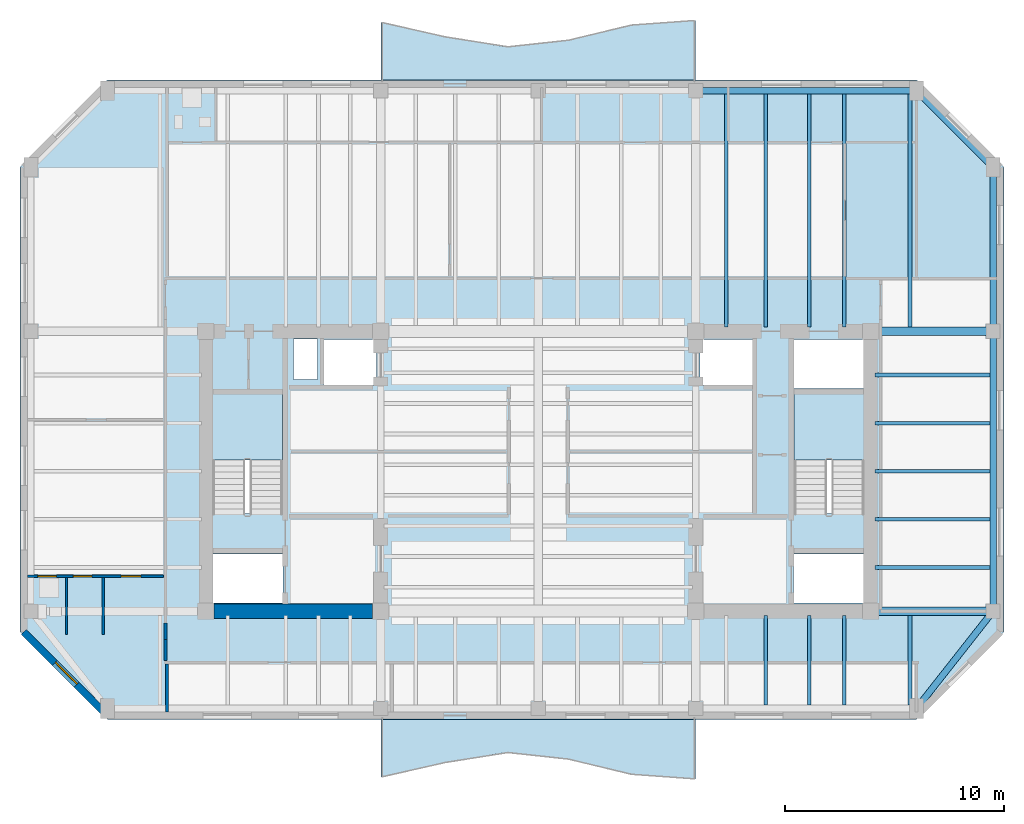
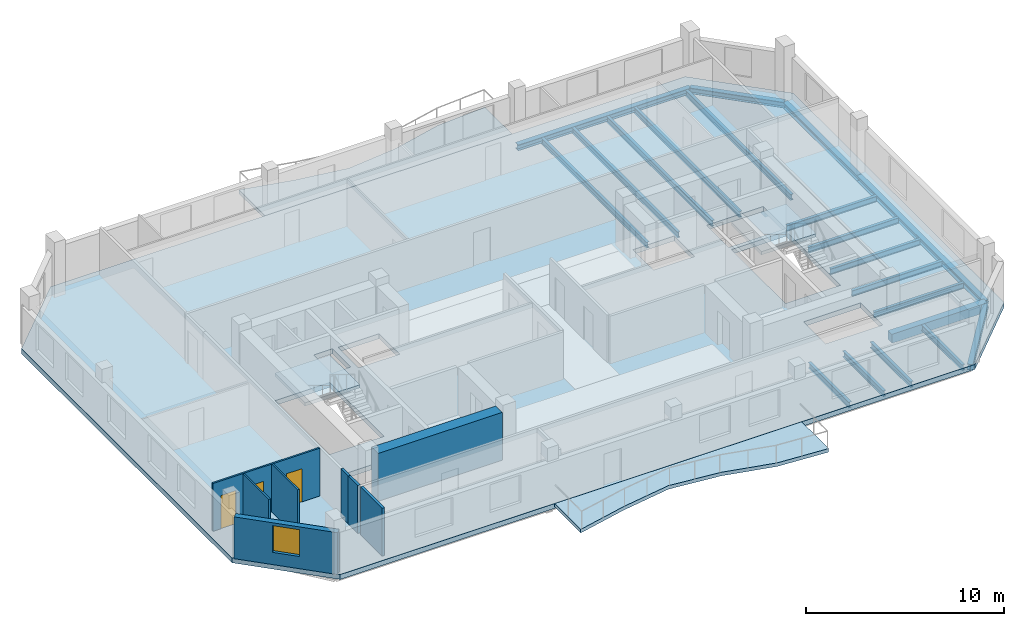
# One storey, part 2 of 10: 21 beams, 8 walls, 5 slabs, 3 doors, 1 window, 4 openings, 2 elements without a shape of their own.
"""IFC4 building model written with IfcOpenShell, lengths in metres."""

from ifc_helpers import new_model, si_unit, direction, frame, frame_2d, origin, origin_2d, place, context, subcontext, project, spatial, polyline, rectangle, i_section, outline, extrude, material, layer, layer_set, material_profile, profile_set, type_object, element, fill, aggregate, save


model = new_model("IFC4")

# Units and contexts
model_context = context("Model", 3, precision=1e-05, world=origin(), true_north=direction((0.0, 1.0)))
body_context = subcontext(model_context, "Body", "Model", "MODEL_VIEW")
ifc_project = project(units=[si_unit("LENGTHUNIT", "METRE"), si_unit("AREAUNIT", "SQUARE_METRE"), si_unit("VOLUMEUNIT", "CUBIC_METRE"), si_unit("PLANEANGLEUNIT", "RADIAN"), si_unit("MASSUNIT", "GRAM", prefix="KILO")], contexts=[model_context])

# Site, building, storey
site_placement = place(None, origin())
site = spatial("IfcSite", under=ifc_project, at=site_placement, CompositionType="ELEMENT")
building_placement = place(site_placement, origin())
building = spatial("IfcBuilding", under=site, at=building_placement, Name="Kranthara Brick Stack", CompositionType="ELEMENT")
storey_placement = place(building_placement, frame((0.0, 0.0, 278.89990234375)))
storey = spatial("IfcBuildingStorey", under=building, at=storey_placement, Name="L74", CompositionType="ELEMENT", Elevation=278.89990234375)

# Beams
ifc_material_1 = material(Name="Post-tensioned concrete C45/55", Category="concrete")
ifc_material_profile_1 = material_profile(ifc_material_1, rectangle(XDim=0.39990234375, YDim=0.550048828125, at=origin_2d()), Name="PT 400x550")
ifc_profile_set_1 = profile_set([ifc_material_profile_1], Name="Post-tensioned concrete C45/55")
beam_type_1 = type_object("IfcBeamType", Name="BM-FLR-PT550", PredefinedType="BEAM", material=ifc_profile_set_1)
for number, where, z_axis, x_axis, name in (
    (1, (43.199951171875, 20.800048828125, -0.574951171875), (1.0, 0.0, 0.0), (0.0, 1.0, 0.0), "L74 Primary Grid Girder 029"),
    (2, (43.199951171875, 33.60009765625, -0.574951171875), (1.0, 0.0, 0.0), (0.0, 1.0, 0.0), "L74 Primary Grid Girder 031"),
):
    element("IfcBeam", number, at=place(storey_placement, frame(where, z_axis=z_axis, x_axis=x_axis)), inside=storey, type_object=beam_type_1, Name=name, PredefinedType="BEAM", context=body_context, shape_type="SweptSolid", body=[
        extrude(rectangle(XDim=0.39990234375, YDim=0.550048828125, at=origin_2d()), origin(), (0.0, 0.0, 1.0), 5.60009765625),
    ])
ifc_material_2 = material(Name="Steel S355", Category="steel")
ifc_material_profile_2 = material_profile(ifc_material_2, i_section(OverallWidth=0.169921875, OverallDepth=0.360107421875, WebThickness=0.008056640625, FlangeThickness=0.0126953125, at=origin_2d()), Name="IPE 360")
ifc_profile_set_2 = profile_set([ifc_material_profile_2], Name="Steel S355")
beam_type_2 = type_object("IfcBeamType", Name="BM-JST-IPE360", PredefinedType="JOIST", material=ifc_profile_set_2)
beam_1_placement = place(storey_placement, frame((36.60009765625, 33.800048828125, -0.47998046875), z_axis=(0.0, 1.0, 0.0), x_axis=(-1.0, 0.0, 0.0)))
element("IfcBeam", 3, at=beam_1_placement, inside=storey, type_object=beam_type_2, Name="L74 North Wing Floor Joist 073", PredefinedType="JOIST", context=body_context, shape_type="SweptSolid", body=[
    extrude(i_section(OverallWidth=0.169921875, OverallDepth=0.360107421875, WebThickness=0.008056640625, FlangeThickness=0.0126953125, at=origin_2d()), origin(), (0.0, 0.0, 1.0), 10.64990234375),
])
beam_2_placement = place(storey_placement, frame((38.39990234375, 16.5, -0.47998046875), z_axis=(0.0, 1.0, 0.0), x_axis=(-1.0, 0.0, 0.0)))
element("IfcBeam", 4, at=beam_2_placement, inside=storey, type_object=beam_type_2, Name="L74 South Wing Floor Joist 074", PredefinedType="JOIST", context=body_context, shape_type="SweptSolid", body=[
    extrude(i_section(OverallWidth=0.169921875, OverallDepth=0.360107421875, WebThickness=0.008056640625, FlangeThickness=0.0126953125, at=origin_2d()), origin(), (0.0, 0.0, 1.0), 4.10009765625),
])
beam_3_placement = place(storey_placement, frame((38.39990234375, 33.800048828125, -0.47998046875), z_axis=(0.0, 1.0, 0.0), x_axis=(-1.0, 0.0, 0.0)))
element("IfcBeam", 5, at=beam_3_placement, inside=storey, type_object=beam_type_2, Name="L74 North Wing Floor Joist 075", PredefinedType="JOIST", context=body_context, shape_type="SweptSolid", body=[
    extrude(i_section(OverallWidth=0.169921875, OverallDepth=0.360107421875, WebThickness=0.008056640625, FlangeThickness=0.0126953125, at=origin_2d()), origin(), (0.0, 0.0, 1.0), 10.64990234375),
])
beam_4_placement = place(storey_placement, frame((40.39990234375, 16.5, -0.47998046875), z_axis=(0.0, 1.0, 0.0), x_axis=(-1.0, 0.0, 0.0)))
element("IfcBeam", 6, at=beam_4_placement, inside=storey, type_object=beam_type_2, Name="L74 South Wing Floor Joist 076", PredefinedType="JOIST", context=body_context, shape_type="SweptSolid", body=[
    extrude(i_section(OverallWidth=0.169921875, OverallDepth=0.360107421875, WebThickness=0.008056640625, FlangeThickness=0.0126953125, at=origin_2d()), origin(), (0.0, 0.0, 1.0), 4.10009765625),
])
beam_5_placement = place(storey_placement, frame((40.39990234375, 33.800048828125, -0.47998046875), z_axis=(0.0, 1.0, 0.0), x_axis=(-1.0, 0.0, 0.0)))
element("IfcBeam", 7, at=beam_5_placement, inside=storey, type_object=beam_type_2, Name="L74 North Wing Floor Joist 077", PredefinedType="JOIST", context=body_context, shape_type="SweptSolid", body=[
    extrude(i_section(OverallWidth=0.169921875, OverallDepth=0.360107421875, WebThickness=0.008056640625, FlangeThickness=0.0126953125, at=origin_2d()), origin(), (0.0, 0.0, 1.0), 10.64990234375),
])
beam_6_placement = place(storey_placement, frame((42.0, 16.5, -0.47998046875), z_axis=(0.0, 1.0, 0.0), x_axis=(-1.0, 0.0, 0.0)))
element("IfcBeam", 8, at=beam_6_placement, inside=storey, type_object=beam_type_2, Name="L74 South Wing Floor Joist 078", PredefinedType="JOIST", context=body_context, shape_type="SweptSolid", body=[
    extrude(i_section(OverallWidth=0.169921875, OverallDepth=0.360107421875, WebThickness=0.008056640625, FlangeThickness=0.0126953125, at=origin_2d()), origin(), (0.0, 0.0, 1.0), 4.10009765625),
])
beam_7_placement = place(storey_placement, frame((42.0, 33.800048828125, -0.47998046875), z_axis=(0.0, 1.0, 0.0), x_axis=(-1.0, 0.0, 0.0)))
element("IfcBeam", 9, at=beam_7_placement, inside=storey, type_object=beam_type_2, Name="L74 North Wing Floor Joist 079", PredefinedType="JOIST", context=body_context, shape_type="SweptSolid", body=[
    extrude(i_section(OverallWidth=0.169921875, OverallDepth=0.360107421875, WebThickness=0.008056640625, FlangeThickness=0.0126953125, at=origin_2d()), origin(), (0.0, 0.0, 1.0), 10.64990234375),
])
beam_8_placement = place(storey_placement, frame((45.0, 16.5, -0.47998046875), z_axis=(0.0, 1.0, 0.0), x_axis=(-1.0, 0.0, 0.0)))
element("IfcBeam", 10, at=beam_8_placement, inside=storey, type_object=beam_type_2, Name="L74 South Wing Floor Joist 080", PredefinedType="JOIST", context=body_context, shape_type="SweptSolid", body=[
    extrude(i_section(OverallWidth=0.169921875, OverallDepth=0.360107421875, WebThickness=0.008056640625, FlangeThickness=0.0126953125, at=origin_2d()), origin(), (0.0, 0.0, 1.0), 4.10009765625),
])
beam_9_placement = place(storey_placement, frame((45.0, 33.800048828125, -0.47998046875), z_axis=(0.0, 1.0, 0.0), x_axis=(-1.0, 0.0, 0.0)))
element("IfcBeam", 11, at=beam_9_placement, inside=storey, type_object=beam_type_2, Name="L74 North Wing Floor Joist 081", PredefinedType="JOIST", context=body_context, shape_type="SweptSolid", body=[
    extrude(i_section(OverallWidth=0.169921875, OverallDepth=0.360107421875, WebThickness=0.008056640625, FlangeThickness=0.0126953125, at=origin_2d()), origin(), (0.0, 0.0, 1.0), 10.64990234375),
])
for number, where, z_axis, x_axis, name in (
    (12, (43.39990234375, 22.800048828125, -0.47998046875), (1.0, 0.0, 0.0), (0.0, 1.0, 0.0), "L74 East Wing Floor Joist 083"),
    (13, (43.39990234375, 25.0, -0.47998046875), (1.0, 0.0, 0.0), (0.0, 1.0, 0.0), "L74 East Wing Floor Joist 085"),
    (14, (43.39990234375, 27.199951171875, -0.47998046875), (1.0, 0.0, 0.0), (0.0, 1.0, 0.0), "L74 East Wing Floor Joist 087"),
    (15, (43.39990234375, 29.39990234375, -0.47998046875), (1.0, 0.0, 0.0), (0.0, 1.0, 0.0), "L74 East Wing Floor Joist 089"),
    (16, (43.39990234375, 31.60009765625, -0.47998046875), (1.0, 0.0, 0.0), (0.0, 1.0, 0.0), "L74 East Wing Floor Joist 091"),
):
    element("IfcBeam", number, at=place(storey_placement, frame(where, z_axis=z_axis, x_axis=x_axis)), inside=storey, type_object=beam_type_2, Name=name, PredefinedType="JOIST", context=body_context, shape_type="SweptSolid", body=[
        extrude(i_section(OverallWidth=0.169921875, OverallDepth=0.360107421875, WebThickness=0.008056640625, FlangeThickness=0.0126953125, at=origin_2d()), origin(), (0.0, 0.0, 1.0), 5.25),
    ])
ifc_material_3 = material(Name="Steel S355", Category="steel")
ifc_material_profile_3 = material_profile(ifc_material_3, i_section(OverallWidth=0.300048828125, OverallDepth=0.360107421875, WebThickness=0.012451171875, FlangeThickness=0.0224609375, at=origin_2d()), Name="HEB 360")
ifc_profile_set_3 = profile_set([ifc_material_profile_3], Name="Steel S355")
beam_type_3 = type_object("IfcBeamType", Name="BM-STL-HEB360", PredefinedType="SPANDREL", material=ifc_profile_set_3)
beam_10_placement = place(storey_placement, frame((35.199951171875, 44.60009765625, -0.47998046875), z_axis=(1.0, 0.0, 0.0), x_axis=(0.0, 1.0, 0.0)))
element("IfcBeam", 17, at=beam_10_placement, inside=storey, type_object=beam_type_3, Name="L74 Perimeter Spandrel Beam 012", PredefinedType="SPANDREL", context=body_context, shape_type="SweptSolid", body=[
    extrude(i_section(OverallWidth=0.300048828125, OverallDepth=0.360107421875, WebThickness=0.012451171875, FlangeThickness=0.0224609375, at=origin_2d()), origin(), (0.0, 0.0, 1.0), 10.10009765625),
])
beam_11_placement = place(storey_placement, frame((48.800048828125, 20.800048828125, -0.47998046875), z_axis=(0.0, 1.0, 0.0), x_axis=(-1.0, 0.0, 0.0)))
element("IfcBeam", 18, at=beam_11_placement, inside=storey, type_object=beam_type_3, Name="L74 Perimeter Spandrel Beam 015", PredefinedType="SPANDREL", context=body_context, shape_type="SweptSolid", body=[
    extrude(i_section(OverallWidth=0.300048828125, OverallDepth=0.360107421875, WebThickness=0.012451171875, FlangeThickness=0.0224609375, at=origin_2d()), origin(), (0.0, 0.0, 1.0), 12.800048828125),
])
beam_12_placement = place(storey_placement, frame((48.800048828125, 33.60009765625, -0.47998046875), z_axis=(0.0, 1.0, 0.0), x_axis=(-1.0, 0.0, 0.0)))
element("IfcBeam", 19, at=beam_12_placement, inside=storey, type_object=beam_type_3, Name="L74 Perimeter Spandrel Beam 016", PredefinedType="SPANDREL", context=body_context, shape_type="SweptSolid", body=[
    extrude(i_section(OverallWidth=0.300048828125, OverallDepth=0.360107421875, WebThickness=0.012451171875, FlangeThickness=0.0224609375, at=origin_2d()), origin(), (0.0, 0.0, 1.0), 7.5),
])
beam_13_placement = place(storey_placement, frame((45.300048828125, 16.35009765625, -0.47998046875), z_axis=(0.618215705636, 0.78600848679, 0.0), x_axis=(-0.78600848679, 0.618215705636, 0.0)))
element("IfcBeam", 20, at=beam_13_placement, inside=storey, type_object=beam_type_3, Name="L74 Chamfer Corner Spandrel 018", PredefinedType="SPANDREL", context=body_context, shape_type="SweptSolid", body=[
    extrude(i_section(OverallWidth=0.300048828125, OverallDepth=0.360107421875, WebThickness=0.012451171875, FlangeThickness=0.0224609375, at=origin_2d()), origin(), (0.0, 0.0, 1.0), 5.661376953125),
])
beam_14_placement = place(storey_placement, frame((45.300048828125, 44.60009765625, -0.47998046875), z_axis=(0.707106781187, -0.707106781187, 0.0), x_axis=(0.707106781187, 0.707106781187, 0.0)))
element("IfcBeam", 21, at=beam_14_placement, inside=storey, type_object=beam_type_3, Name="L74 Chamfer Corner Spandrel 020", PredefinedType="SPANDREL", context=body_context, shape_type="SweptSolid", body=[
    extrude(i_section(OverallWidth=0.300048828125, OverallDepth=0.360107421875, WebThickness=0.012451171875, FlangeThickness=0.0224609375, at=origin_2d()), origin(), (0.0, 0.0, 1.0), 4.94970703125),
])

# Slabs
ifc_material_4 = material(Name="Concrete C45/55", Category="concrete")
ifc_layer_1 = layer(ifc_material_4, 0.219970703125)
ifc_layer_set_1 = layer_set([ifc_layer_1], Name="Concrete C45/55")
slab_type_1 = type_object("IfcSlabType", Name="SLB-BALC-220", PredefinedType="FLOOR", material=ifc_layer_set_1)
slab_1_placement = place(storey_placement, frame((0.0, 0.0, -0.219970703125)))
element("IfcSlab", 22, at=slab_1_placement, inside=storey, type_object=slab_type_1, Name="L74 South Rippling Balcony Slab", PredefinedType="FLOOR", context=body_context, shape_type="SweptSolid", body=[
    extrude(outline(polyline([(20.800048828125, 15.85009765625), (35.199951171875, 15.85009765625), (35.199951171875, 13.12744140625), (32.320068359375, 13.3330078125), (29.43994140625, 14.031494140625), (26.56005859375, 14.344482421875), (23.679931640625, 13.87841796875), (20.800048828125, 13.219482421875), (20.800048828125, 15.85009765625)])), origin(), (0.0, 0.0, 1.0), 0.219970703125),
])
slab_2_placement = place(storey_placement, frame((0.0, 0.0, -0.219970703125)))
element("IfcSlab", 23, at=slab_2_placement, inside=storey, type_object=slab_type_1, Name="L74 North Rippling Balcony Slab", PredefinedType="FLOOR", context=body_context, shape_type="SweptSolid", body=[
    extrude(outline(polyline([(35.199951171875, 45.10009765625), (20.800048828125, 45.10009765625), (20.800048828125, 47.730712890625), (23.679931640625, 47.071533203125), (26.56005859375, 46.60546875), (29.43994140625, 46.91845703125), (32.320068359375, 47.616943359375), (35.199951171875, 47.822509765625), (35.199951171875, 45.10009765625)])), origin(), (0.0, 0.0, 1.0), 0.219970703125),
])

# Stair, slab
ifc_material_5 = material(Name="Concrete C45/55", Category="concrete")
stair_type = type_object("IfcStairType", Name="ST-CORE-20R", PredefinedType="HALF_TURN_STAIR", material=ifc_material_5)
stair_1_placement = place(storey_placement, origin())
stair_1 = element("IfcStair", 24, at=stair_1_placement, inside=storey, type_object=stair_type, Name="L74 West Core Protected Exit Stair ST01", PredefinedType="HALF_TURN_STAIR")
ifc_material_6 = material(Name="Concrete C45/55", Category="concrete")
ifc_layer_2 = layer(ifc_material_6, 0.199951171875)
ifc_layer_set_2 = layer_set([ifc_layer_2], Name="Concrete C45/55")
slab_type_2 = type_object("IfcSlabType", Name="SLB-LANDING-200", PredefinedType="LANDING", material=ifc_layer_set_2)
slab_3_placement = place(storey_placement, frame((0.0, 0.0, 1.5)))
slab_3 = element("IfcSlab", 25, at=slab_3_placement, type_object=slab_type_2, Name="ST01 landing 1", PredefinedType="LANDING", context=body_context, shape_type="SweptSolid", body=[
    extrude(outline(polyline([(16.300048828125, 27.719970703125), (16.300048828125, 30.75), (13.10009765625, 30.75), (13.10009765625, 27.719970703125), (16.300048828125, 27.719970703125)])), origin(), (0.0, 0.0, 1.0), 0.2001953125),
])
aggregate(stair_1, [slab_3])

stair_2_placement = place(storey_placement, origin())
stair_2 = element("IfcStair", 26, at=stair_2_placement, inside=storey, type_object=stair_type, Name="L74 East Core Protected Exit Stair ST02", PredefinedType="HALF_TURN_STAIR")
slab_4_placement = place(storey_placement, frame((0.0, 0.0, 1.5)))
slab_4 = element("IfcSlab", 27, at=slab_4_placement, type_object=slab_type_2, Name="ST02 landing 1", PredefinedType="LANDING", context=body_context, shape_type="SweptSolid", body=[
    extrude(outline(polyline([(42.89990234375, 27.719970703125), (42.89990234375, 30.75), (39.699951171875, 30.75), (39.699951171875, 27.719970703125), (42.89990234375, 27.719970703125)])), origin(), (0.0, 0.0, 1.0), 0.2001953125),
])
aggregate(stair_2, [slab_4])

# Slab
ifc_material_7 = material(Name="Post-tensioned concrete C45/55", Category="concrete")
ifc_layer_3 = layer(ifc_material_7, 0.300048828125)
ifc_layer_set_3 = layer_set([ifc_layer_3], Name="Post-tensioned concrete C45/55")
slab_type_3 = type_object("IfcSlabType", Name="SLB-TWR-300", PredefinedType="FLOOR", material=ifc_layer_set_3)
slab_5_placement = place(storey_placement, frame((0.0, 0.0, -0.2998046875)))
element("IfcSlab", 28, at=slab_5_placement, inside=storey, type_object=slab_type_3, Name="L74 Structural Floor Plate", PredefinedType="FLOOR", context=body_context, shape_type="SweptSolid", body=[
    extrude(outline(polyline([(8.300048828125, 15.85009765625), (45.300048828125, 15.85009765625), (49.300048828125, 19.85009765625), (49.300048828125, 41.10009765625), (45.300048828125, 45.10009765625), (8.300048828125, 45.10009765625), (4.300048828125, 41.10009765625), (4.300048828125, 19.85009765625), (8.300048828125, 15.85009765625)]), holes=[polyline([(13.10009765625, 25.280029296875), (16.300048828125, 25.280029296875), (16.300048828125, 30.75), (13.10009765625, 30.75), (13.10009765625, 25.280029296875)]), polyline([(39.699951171875, 25.280029296875), (42.89990234375, 25.280029296875), (42.89990234375, 30.75), (39.699951171875, 30.75), (39.699951171875, 25.280029296875)]), polyline([(13.0, 21.179931640625), (16.320068359375, 21.179931640625), (16.320068359375, 23.419921875), (13.0, 23.419921875), (13.0, 21.179931640625)]), polyline([(39.679931640625, 21.179931640625), (43.0, 21.179931640625), (43.0, 23.419921875), (39.679931640625, 23.419921875), (39.679931640625, 21.179931640625)]), polyline([(39.679931640625, 30.97998046875), (43.0, 30.97998046875), (43.0, 33.219970703125), (39.679931640625, 33.219970703125), (39.679931640625, 30.97998046875)]), polyline([(18.199951171875, 31.14990234375), (20.60009765625, 31.14990234375), (20.60009765625, 33.219970703125), (18.199951171875, 33.219970703125), (18.199951171875, 31.14990234375)]), polyline([(35.39990234375, 31.14990234375), (37.800048828125, 31.14990234375), (37.800048828125, 33.219970703125), (35.39990234375, 33.219970703125), (35.39990234375, 31.14990234375)]), polyline([(16.800048828125, 31.39990234375), (17.89990234375, 31.39990234375), (17.89990234375, 33.25), (16.800048828125, 33.25), (16.800048828125, 31.39990234375)])]), origin(), (0.0, 0.0, 1.0), 0.2998046875),
])

# Wall, opening, window
ifc_material_8 = material(Name="Warm buff clay brick masonry M15", Category="masonry")
ifc_layer_4 = layer(ifc_material_8, 0.320068359375)
ifc_layer_set_4 = layer_set([ifc_layer_4], Name="Warm buff clay brick masonry M15")
wall_type_1 = type_object("IfcWallType", Name="WL-BRK-UPPR-320", PredefinedType="STANDARD", material=ifc_layer_set_4)
wall_1_placement = place(storey_placement, frame((8.300048828125, 16.030029296875, 0.0), z_axis=(0.0, 0.0, 1.0), x_axis=(-0.707106781187, 0.707106781187, 0.0)))
wall_1 = element("IfcWall", 29, at=wall_1_placement, inside=storey, type_object=wall_type_1, Name="L74 Exterior Brick Facade Wall SW 1", PredefinedType="STANDARD", context=body_context, shape_type="SweptSolid", body=[
    extrude(rectangle(XDim=5.40234375, YDim=0.320068359375, at=frame_2d((2.701171875, 0.0))), origin(), (0.0, 0.0, 1.0), 2.5751953125),
])
opening_1_placement = place(wall_1_placement, frame((2.0009765625, 0.0, 0.75)))
opening_1 = element("IfcOpeningElement", 30, at=opening_1_placement, cuts=wall_1, Name="Opening WN10", PredefinedType="OPENING", context=body_context, shape_type="SweptSolid", body=[
    extrude(rectangle(XDim=1.39990234375, YDim=1.64990234375, at=frame_2d((0.699951171875, 0.824951171875))), frame((0.0, 0.169921875, 0.0), z_axis=(0.0, -1.0, 0.0), x_axis=(1.0, 0.0, 0.0)), (0.0, 0.0, 1.0), 0.340087890625),
])
ifc_material_9 = material(Name="Double-glazed low-E solar control glass", Category="glass")
window_type = type_object("IfcWindowType", Name="WN-CHM-1400x1750", PartitioningType="SINGLE_PANEL", PredefinedType="WINDOW", material=ifc_material_9)
window_placement = place(opening_1_placement, origin())
window = element("IfcWindow", 31, at=window_placement, inside=storey, type_object=window_type, Name="L74 SW Chamfer Corner Window", OverallHeight=1.64990234375, OverallWidth=1.39990234375, PartitioningType="SINGLE_PANEL", PredefinedType="WINDOW", context=body_context, shape_type="SweptSolid", body=[
    extrude(rectangle(XDim=1.39990234375, YDim=1.64990234375, at=frame_2d((0.699951171875, 0.824951171875))), frame((0.0, -0.010009765625, 0.0), z_axis=(0.0, -1.0, 0.0), x_axis=(1.0, 0.0, 0.0)), (0.0, 0.0, 1.0), 0.06005859375),
])
fill(opening_1, window)

# Wall
ifc_material_10 = material(Name="Concrete C60/75", Category="concrete")
ifc_layer_5 = layer(ifc_material_10, 0.64990234375)
ifc_layer_set_5 = layer_set([ifc_layer_5], Name="Concrete C60/75")
wall_type_2 = type_object("IfcWallType", Name="WL-CORE-650", PredefinedType="SHEAR", material=ifc_layer_set_5)
wall_2_placement = place(storey_placement, frame((13.179931640625, 20.800048828125, 0.0), z_axis=(0.0, 0.0, 1.0), x_axis=(1.0, 0.0, 0.0)))
element("IfcWall", 32, at=wall_2_placement, inside=storey, type_object=wall_type_2, Name="L74 West Core Shear Wall South", PredefinedType="SHEAR", context=body_context, shape_type="SweptSolid", body=[
    extrude(rectangle(XDim=7.239990234375, YDim=0.64990234375, at=frame_2d((3.6201171875, 0.0))), origin(), (0.0, 0.0, 1.0), 2.9501953125),
])

# Wall, openings, doors
ifc_material_11 = material(Name="Moisture-resistant wet-room partition", Category="other")
ifc_layer_6 = layer(ifc_material_11, 0.10009765625)
ifc_layer_set_6 = layer_set([ifc_layer_6], Name="Moisture-resistant wet-room partition")
wall_type_3 = type_object("IfcWallType", Name="WL-PART-100", PredefinedType="PARTITIONING", material=ifc_layer_set_6)
wall_3_placement = place(storey_placement, frame((4.64501953125, 22.39990234375, 0.0), z_axis=(0.0, 0.0, 1.0), x_axis=(1.0, 0.0, 0.0)))
wall_3 = element("IfcWall", 33, at=wall_3_placement, inside=storey, type_object=wall_type_3, Name="L74 Interior Partition 028", PredefinedType="PARTITIONING", context=body_context, shape_type="SweptSolid", body=[
    extrude(rectangle(XDim=6.22509765625, YDim=0.10009765625, at=frame_2d((3.112548828125, 0.0))), origin(), (0.0, 0.0, 1.0), 2.9501953125),
])
opening_2_placement = place(wall_3_placement, frame((0.471923828125, 0.0, 0.0)))
opening_2 = element("IfcOpeningElement", 34, at=opening_2_placement, cuts=wall_3, Name="Opening D17", PredefinedType="OPENING", context=body_context, shape_type="SweptSolid", body=[
    extrude(rectangle(XDim=0.85009765625, YDim=2.050048828125, at=frame_2d((0.425048828125, 1.02490234375))), frame((0.0, 0.06005859375, 0.0), z_axis=(0.0, -1.0, 0.0), x_axis=(1.0, 0.0, 0.0)), (0.0, 0.0, 1.0), 0.1201171875),
])
opening_3_placement = place(wall_3_placement, frame((2.092041015625, 0.0, 0.0)))
opening_3 = element("IfcOpeningElement", 35, at=opening_3_placement, cuts=wall_3, Name="Opening D16", PredefinedType="OPENING", context=body_context, shape_type="SweptSolid", body=[
    extrude(rectangle(XDim=0.85009765625, YDim=2.050048828125, at=frame_2d((0.425048828125, 1.02490234375))), frame((0.0, 0.06005859375, 0.0), z_axis=(0.0, -1.0, 0.0), x_axis=(1.0, 0.0, 0.0)), (0.0, 0.0, 1.0), 0.1201171875),
])
opening_4_placement = place(wall_3_placement, frame((4.284912109375, 0.0, 0.0)))
opening_4 = element("IfcOpeningElement", 36, at=opening_4_placement, cuts=wall_3, Name="Opening D15", PredefinedType="OPENING", context=body_context, shape_type="SweptSolid", body=[
    extrude(rectangle(XDim=0.89990234375, YDim=2.050048828125, at=frame_2d((0.449951171875, 1.02490234375))), frame((0.0, 0.06005859375, 0.0), z_axis=(0.0, -1.0, 0.0), x_axis=(1.0, 0.0, 0.0)), (0.0, 0.0, 1.0), 0.1201171875),
])
ifc_material_12 = material(Name="Solid-core hardwood timber leaf in steel frame", Category="steel")
door_type_1 = type_object("IfcDoorType", Name="DR-INT-850", OperationType="NOTDEFINED", PredefinedType="DOOR", material=ifc_material_12)
door_1_placement = place(opening_3_placement, origin())
door_1 = element("IfcDoor", 37, at=door_1_placement, inside=storey, type_object=door_type_1, Name="L74 Unit L74B Kitchen 20", OperationType="SINGLE_SWING_RIGHT", OverallHeight=2.050048828125, OverallWidth=0.85009765625, PredefinedType="DOOR", context=body_context, shape_type="SweptSolid", body=[
    extrude(rectangle(XDim=0.85009765625, YDim=2.050048828125, at=frame_2d((0.425048828125, 1.02490234375))), frame((0.0, 0.02490234375, 0.0), z_axis=(0.0, -1.0, 0.0), x_axis=(1.0, 0.0, 0.0)), (0.0, 0.0, 1.0), 0.050048828125),
])
fill(opening_3, door_1)
ifc_material_13 = material(Name="Solid-core hardwood timber leaf in steel frame", Category="steel")
door_type_2 = type_object("IfcDoorType", Name="DR-INT-900", OperationType="NOTDEFINED", PredefinedType="DOOR", material=ifc_material_13)
door_2_placement = place(opening_4_placement, origin())
door_2 = element("IfcDoor", 38, at=door_2_placement, inside=storey, type_object=door_type_2, Name="L74 Unit L74B Bedroom 21", OperationType="SINGLE_SWING_LEFT", OverallHeight=2.050048828125, OverallWidth=0.89990234375, PredefinedType="DOOR", context=body_context, shape_type="SweptSolid", body=[
    extrude(rectangle(XDim=0.89990234375, YDim=2.050048828125, at=frame_2d((0.449951171875, 1.02490234375))), frame((0.0, 0.02490234375, 0.0), z_axis=(0.0, -1.0, 0.0), x_axis=(1.0, 0.0, 0.0)), (0.0, 0.0, 1.0), 0.050048828125),
])
fill(opening_4, door_2)
ifc_material_14 = material(Name="Solid-core hardwood timber leaf in steel frame", Category="steel")
door_type_3 = type_object("IfcDoorType", Name="DR-WET-850", OperationType="NOTDEFINED", PredefinedType="DOOR", material=ifc_material_14)
door_3_placement = place(opening_2_placement, origin())
door_3 = element("IfcDoor", 39, at=door_3_placement, inside=storey, type_object=door_type_3, Name="L74 Unit L74B Bathroom 19", OperationType="SINGLE_SWING_LEFT", OverallHeight=2.050048828125, OverallWidth=0.85009765625, PredefinedType="DOOR", context=body_context, shape_type="SweptSolid", body=[
    extrude(rectangle(XDim=0.85009765625, YDim=2.050048828125, at=frame_2d((0.425048828125, 1.02490234375))), frame((0.0, 0.02490234375, 0.0), z_axis=(0.0, -1.0, 0.0), x_axis=(1.0, 0.0, 0.0)), (0.0, 0.0, 1.0), 0.050048828125),
])
fill(opening_2, door_3)

# Walls
for number, where, z_axis, x_axis, name in (
    (40, (6.425048828125, 19.72998046875, 0.0), (0.0, 0.0, 1.0), (0.0, 1.0, 0.0), "L74 Interior Partition 030"),
    (41, (8.110107421875, 19.72998046875, 0.0), (0.0, 0.0, 1.0), (0.0, 1.0, 0.0), "L74 Interior Partition 031"),
):
    element("IfcWall", number, at=place(storey_placement, frame(where, z_axis=z_axis, x_axis=x_axis)), inside=storey, type_object=wall_type_3, Name=name, PredefinedType="PARTITIONING", context=body_context, shape_type="SweptSolid", body=[
        extrude(rectangle(XDim=2.614990234375, YDim=0.10009765625, at=frame_2d((1.3076171875, 0.0))), origin(), (0.0, 0.0, 1.0), 2.9501953125),
    ])
ifc_material_15 = material(Name="Fire-rated gypsum board partition", Category="other")
ifc_layer_7 = layer(ifc_material_15, 0.14990234375)
ifc_layer_set_7 = layer_set([ifc_layer_7], Name="Fire-rated gypsum board partition")
wall_type_4 = type_object("IfcWallType", Name="WL-PART-150", PredefinedType="PARTITIONING", material=ifc_layer_set_7)
wall_4_placement = place(storey_placement, frame((11.02001953125, 16.195068359375, 0.0), z_axis=(0.0, 0.0, 1.0), x_axis=(0.0, 1.0, 0.0)))
element("IfcWall", 42, at=wall_4_placement, inside=storey, type_object=wall_type_4, Name="L74 Interior Partition 011", PredefinedType="PARTITIONING", context=body_context, shape_type="SweptSolid", body=[
    extrude(rectangle(XDim=2.184814453125, YDim=0.14990234375, at=frame_2d((1.09228515625, 0.0))), origin(), (0.0, 0.0, 1.0), 2.9501953125),
])
wall_5_placement = place(storey_placement, frame((10.949951171875, 19.5, 0.0), z_axis=(0.0, 0.0, 1.0), x_axis=(0.0, -1.0, 0.0)))
element("IfcWall", 43, at=wall_5_placement, inside=storey, type_object=wall_type_4, Name="L74 Interior Partition 023", PredefinedType="PARTITIONING", context=body_context, shape_type="SweptSolid", body=[
    extrude(rectangle(XDim=0.9599609375, YDim=0.14990234375, at=frame_2d((0.47998046875, 0.0))), origin(), (0.0, 0.0, 1.0), 2.9501953125),
])
wall_6_placement = place(storey_placement, frame((10.949951171875, 19.510009765625, 0.0), z_axis=(0.0, 0.0, 1.0), x_axis=(0.0, 1.0, 0.0)))
element("IfcWall", 44, at=wall_6_placement, inside=storey, type_object=wall_type_4, Name="L74 Interior Partition 024", PredefinedType="PARTITIONING", context=body_context, shape_type="SweptSolid", body=[
    extrude(rectangle(XDim=0.739990234375, YDim=0.14990234375, at=frame_2d((0.3701171875, 0.0))), origin(), (0.0, 0.0, 1.0), 2.9501953125),
])

save(model, "model.ifc")
